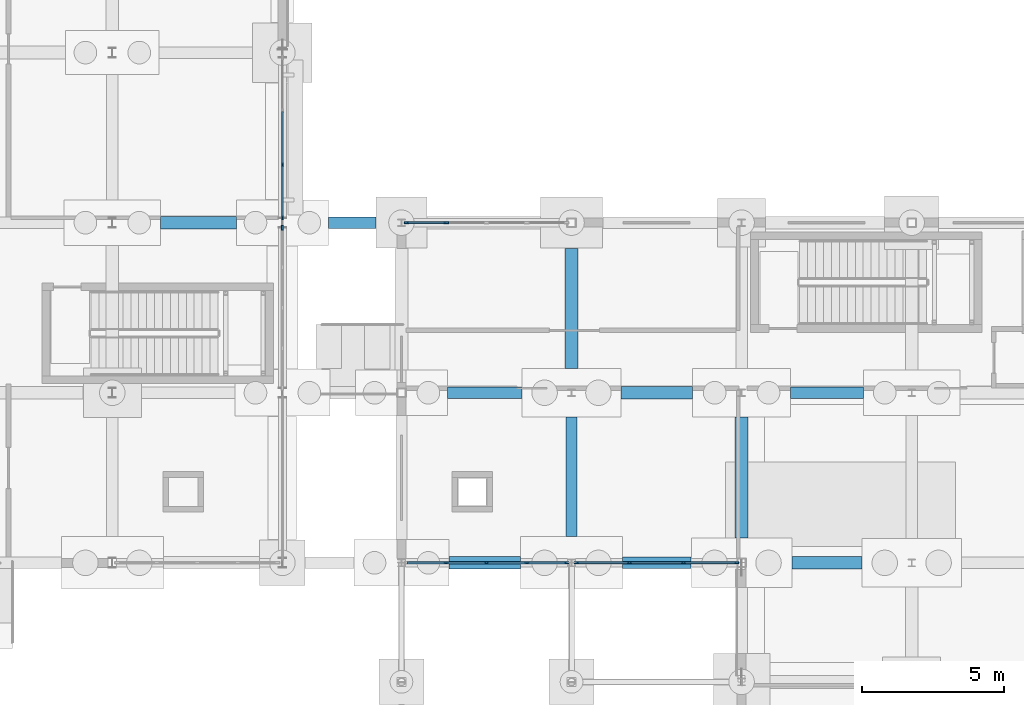
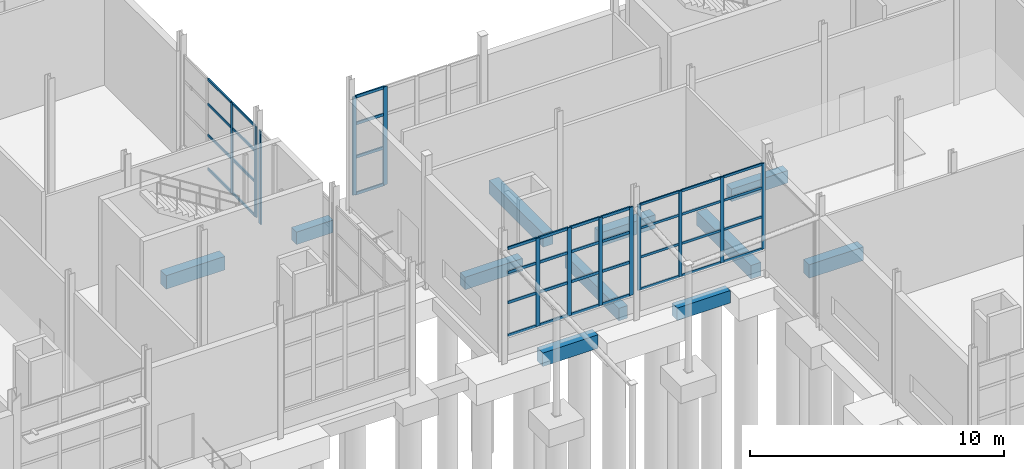
# One storey, part 44 of 120: 53 members, 11 beams, 5 elements without a shape of their own.
"""IFC4 building model written with IfcOpenShell, lengths in metres."""

import ifcopenshell
import ifcopenshell.guid

model = None  # the IFC model being written
_history = None  # IfcOwnerHistory: only IFC2X3 demands one
_inside = {}  # id of a spatial element -> (the spatial element, [elements in it])
_under = {}  # id of a project, library or spatial element -> (it, [spatial elements below it])
_declared = {}  # id of a project -> (the project, [libraries it declares])
_typed = {}  # id of a type object -> (the type object, [elements of that type])
_made_of = {}  # id of a material, layer set ... -> (it, [elements and type objects made of it])


def new_model(schema):
    """Start an empty IFC model of exactly this schema.

    Asked for "IFC4X3", IfcOpenShell would pick the latest addendum, in which some entities
    have other attributes; the version numbers below select the first issue.
    IFC2X3 requires an IfcOwnerHistory on every rooted entity: one is made here for all.
    """
    global model, _history
    if schema == "IFC4X3":
        model = ifcopenshell.file(schema_version=(4, 3, 0, 0))
    else:
        model = ifcopenshell.file(schema=schema)
    _inside.clear()
    _under.clear()
    _declared.clear()
    _typed.clear()
    _made_of.clear()
    _history = None
    if model.schema == "IFC2X3":
        org = make("IfcOrganization", Name="unknown")
        user = make(
            "IfcPersonAndOrganization",
            ThePerson=make("IfcPerson", FamilyName="unknown"),
            TheOrganization=org,
        )
        app = make(
            "IfcApplication",
            ApplicationDeveloper=org,
            Version="unknown",
            ApplicationFullName="unknown",
            ApplicationIdentifier="unknown",
        )
        _history = make(
            "IfcOwnerHistory",
            OwningUser=user,
            OwningApplication=app,
            ChangeAction="ADDED",
            CreationDate=0,
        )
    return model


def make(cls, **values):
    """One entity of the class cls with the attributes given. An attribute that is None is left unset."""
    return model.create_entity(
        cls, **{name: value for name, value in values.items() if value is not None}
    )


def rooted(cls, **values):
    """An entity with a GlobalId (a new one), such as an element, a storey or a relation."""
    return make(cls, GlobalId=ifcopenshell.guid.new(), OwnerHistory=_history, **values)


def si_unit(unit_type, name, prefix=None):
    """IfcSIUnit, for example si_unit("LENGTHUNIT", "METRE", prefix="MILLI")."""
    return make("IfcSIUnit", UnitType=unit_type, Prefix=prefix, Name=name)


def assignment(units):
    """IfcUnitAssignment: the units of a project."""
    return None if units is None else make("IfcUnitAssignment", Units=units)


def point(xyz):
    """IfcCartesianPoint."""
    return None if xyz is None else make("IfcCartesianPoint", Coordinates=xyz)


def direction(xyz):
    """IfcDirection."""
    return None if xyz is None else make("IfcDirection", DirectionRatios=xyz)


def frame(location, z_axis=None, x_axis=None):
    """IfcAxis2Placement3D, a coordinate frame: its origin and axes. An axis left out is left unset."""
    return make(
        "IfcAxis2Placement3D",
        Location=point(location),
        Axis=direction(z_axis),
        RefDirection=direction(x_axis),
    )


def frame_2d(location, x_axis=None):
    """IfcAxis2Placement2D, a coordinate frame in the plane: its origin and x axis."""
    return make(
        "IfcAxis2Placement2D", Location=point(location), RefDirection=direction(x_axis)
    )


def origin():
    """The frame at (0, 0, 0) with its axes left unset."""
    return frame((0.0, 0.0, 0.0))


def origin_2d():
    """The frame at (0, 0) in the plane with its x axis left unset."""
    return frame_2d((0.0, 0.0))


def place(relative_to, where):
    """IfcLocalPlacement: puts the frame where relative to a parent placement (None: the world)."""
    return make(
        "IfcLocalPlacement", PlacementRelTo=relative_to, RelativePlacement=where
    )


def context(
    kind, dimensions, precision=None, world=None, true_north=None, identifier=None
):
    """IfcGeometricRepresentationContext, for example the 3D "Model" context."""
    return make(
        "IfcGeometricRepresentationContext",
        ContextIdentifier=identifier,
        ContextType=kind,
        CoordinateSpaceDimension=dimensions,
        Precision=precision,
        WorldCoordinateSystem=world,
        TrueNorth=true_north,
    )


def subcontext(parent, identifier, kind, view, scale=None):
    """IfcGeometricRepresentationSubContext, for example "Body" below "Model"."""
    return make(
        "IfcGeometricRepresentationSubContext",
        ContextIdentifier=identifier,
        ContextType=kind,
        ParentContext=parent,
        TargetScale=scale,
        TargetView=view,
    )


def project(units=None, contexts=None):
    """IfcProject with its units and contexts."""
    return rooted(
        "IfcProject",
        Name="project",
        RepresentationContexts=contexts,
        UnitsInContext=assignment(units),
    )


def spatial(cls, under=None, at=None, **own):
    """A site, building, storey or space (cls), placed at a placement, below another one or the project."""
    s = rooted(cls, ObjectPlacement=at, **own)
    if under is not None:
        _under.setdefault(under.id(), (under, []))[1].append(s)
    return s


def profile(cls, at=None, kind="AREA", **sizes):
    """A parametric profile (cls). Its sizes go by their IFC names, for example OverallWidth=200.0."""
    return make(cls, ProfileType=kind, Position=at, **sizes)


def rectangle(**sizes):
    """IfcRectangleProfileDef."""
    return profile("IfcRectangleProfileDef", **sizes)


def extrude(swept, where, along, depth):
    """IfcExtrudedAreaSolid: the profile swept, set in the frame where, extruded along a direction by depth."""
    return make(
        "IfcExtrudedAreaSolid",
        SweptArea=swept,
        Position=where,
        ExtrudedDirection=direction(along),
        Depth=depth,
    )


def shape(context_of_items, identifier, shape_type, items):
    """IfcShapeRepresentation: the items that make up one representation, for example the "Body"."""
    return make(
        "IfcShapeRepresentation",
        ContextOfItems=context_of_items,
        RepresentationIdentifier=identifier,
        RepresentationType=shape_type,
        Items=items,
    )


def material(Name=None, Category=None):
    """IfcMaterial."""
    return make("IfcMaterial", Name=Name, Category=Category)


def material_profile(
    of_material, cross_section, Name=None, Category=None, Priority=None
):
    """IfcMaterialProfile: a cross section and its material."""
    return make(
        "IfcMaterialProfile",
        Name=Name,
        Material=of_material,
        Profile=cross_section,
        Priority=Priority,
        Category=Category,
    )


def profile_set(profiles, Name=None, composite=None):
    """IfcMaterialProfileSet."""
    return make(
        "IfcMaterialProfileSet",
        Name=Name,
        MaterialProfiles=profiles,
        CompositeProfile=composite,
    )


def made_of(thing, what):
    """Note that an element or type object is made of a material, layer set ...; save() writes the relation."""
    if what is not None:
        _made_of.setdefault(what.id(), (what, []))[1].append(thing)
    return thing


def type_object(cls, material=None, **own):
    """A type object (cls), such as IfcWallType, which elements share."""
    return made_of(rooted(cls, **own), material)


def element(
    cls,
    number,
    at=None,
    inside=None,
    cuts=None,
    type_object=None,
    material=None,
    context=None,
    identifier="Body",
    shape_type=None,
    held_by="IfcProductDefinitionShape",
    body=None,
    shapes=None,
    **own,
):
    """One element of the class cls, such as IfcWall. Its Tag is "e" and its number.

    at: its placement. inside: the storey or other place that contains it. cuts: it is an
    opening in that element (IfcRelVoidsElement). A single representation is given by context,
    identifier, shape_type and body (its items); several are given by shapes. held_by: the class
    of the entity that holds the representations. save() writes the other relations.
    """
    e = rooted(cls, Tag="e%d" % number, ObjectPlacement=at, **own)
    if body is not None:
        shapes = [shape(context, identifier, shape_type, body)]
    if shapes is not None:
        e.Representation = make(held_by, Representations=shapes)
    if inside is not None:
        _inside.setdefault(inside.id(), (inside, []))[1].append(e)
    if cuts is not None:
        rooted(
            "IfcRelVoidsElement", RelatingBuildingElement=cuts, RelatedOpeningElement=e
        )
    if type_object is not None:
        _typed.setdefault(type_object.id(), (type_object, []))[1].append(e)
    return made_of(e, material)


def aggregate(whole, parts):
    """IfcRelAggregates: a whole, such as a stair, and the parts it consists of."""
    return rooted("IfcRelAggregates", RelatingObject=whole, RelatedObjects=parts)


def save(model, path):
    """Write the relations noted so far, then the file.

    IfcRelAggregates (storeys below a building ...), IfcRelContainedInSpatialStructure (elements
    in a storey), IfcRelDefinesByType, IfcRelAssociatesMaterial and IfcRelDeclares: one each for
    every whole, place, type object, material and project.
    """
    for whole, parts in _under.values():
        aggregate(whole, parts)
    for where, things in _inside.values():
        rooted(
            "IfcRelContainedInSpatialStructure",
            RelatedElements=things,
            RelatingStructure=where,
        )
    for kind, things in _typed.values():
        rooted("IfcRelDefinesByType", RelatedObjects=things, RelatingType=kind)
    for what, things in _made_of.values():
        rooted("IfcRelAssociatesMaterial", RelatedObjects=things, RelatingMaterial=what)
    for by, libraries in _declared.values():
        rooted("IfcRelDeclares", RelatingContext=by, RelatedDefinitions=libraries)
    model.write(path)


model = new_model("IFC4")

# Units and contexts
model_context = context("Model", 3, precision=1e-05, world=origin(), true_north=direction((0.0, 1.0)))
body_context = subcontext(model_context, "Body", "Model", "MODEL_VIEW")
ifc_project = project(units=[si_unit("LENGTHUNIT", "METRE"), si_unit("AREAUNIT", "SQUARE_METRE"), si_unit("VOLUMEUNIT", "CUBIC_METRE"), si_unit("PLANEANGLEUNIT", "RADIAN"), si_unit("MASSUNIT", "GRAM", prefix="KILO")], contexts=[model_context])

# Site, building, storey
site_placement = place(None, origin())
site = spatial("IfcSite", under=ifc_project, at=site_placement, CompositionType="ELEMENT")
building_placement = place(site_placement, origin())
building = spatial("IfcBuilding", under=site, at=building_placement, Name="Siltcreek Boulevard Central Fire Station", CompositionType="ELEMENT")
storey_placement = place(building_placement, origin())
storey = spatial("IfcBuildingStorey", under=building, at=storey_placement, Name="L01", CompositionType="ELEMENT", Elevation=0.0)

# Curtain wall, members
ifc_material_1 = material(Name="Anodized aluminum and low-E insulated glazing", Category="aluminium")
curtain_wall_type_1 = type_object("IfcCurtainWallType", Name="CW_SYS_22", PredefinedType="USERDEFINED", material=ifc_material_1)
curtain_wall_1_placement = place(storey_placement, origin())
curtain_wall_1 = element("IfcCurtainWall", 1, at=curtain_wall_1_placement, inside=storey, type_object=curtain_wall_type_1, Name="L01 V2 unitised curtain wall CW-021", ObjectType="CURTAIN WALL", PredefinedType="USERDEFINED")
ifc_material_2 = material(Name="Anodized 6063-T6 aluminum framing", Category="aluminium")
ifc_material_profile_1 = material_profile(ifc_material_2, rectangle(XDim=0.06005859375, YDim=0.14990234375, at=origin_2d()), Name="MULL60X150")
ifc_profile_set_1 = profile_set([ifc_material_profile_1], Name="Anodized 6063-T6 aluminum framing")
member_type_1 = type_object("IfcMemberType", Name="CWM_60X150", PredefinedType="MULLION", material=ifc_profile_set_1)
member_1_placement = place(storey_placement, frame((108.0, 30.175048828125, 0.679931640625), z_axis=(0.0, 0.0, 1.0), x_axis=(-1.0, 0.0, 0.0)))
member_1 = element("IfcMember", 2, at=member_1_placement, type_object=member_type_1, Name="CW-021 mullion 1", PredefinedType="MULLION", context=body_context, shape_type="SweptSolid", body=[
    extrude(rectangle(XDim=0.06005859375, YDim=0.14990234375, at=origin_2d()), origin(), (0.0, 0.0, 1.0), 4.364013671875),
])
member_2_placement = place(storey_placement, frame((108.0, 32.04833984375, 0.679931640625), z_axis=(0.0, 0.0, 1.0), x_axis=(-1.0, 0.0, 0.0)))
member_2 = element("IfcMember", 3, at=member_2_placement, type_object=member_type_1, Name="CW-021 mullion 2", PredefinedType="MULLION", context=body_context, shape_type="SweptSolid", body=[
    extrude(rectangle(XDim=0.06005859375, YDim=0.14990234375, at=origin_2d()), origin(), (0.0, 0.0, 1.0), 4.364013671875),
])

curtain_wall_type_2 = type_object("IfcCurtainWallType", Name="CW_SYS_12", PredefinedType="USERDEFINED", material=ifc_material_1)
curtain_wall_2_placement = place(storey_placement, origin())
curtain_wall_2 = element("IfcCurtainWall", 4, at=curtain_wall_2_placement, inside=storey, type_object=curtain_wall_type_2, Name="L01 V6 unitised curtain wall CW-191", ObjectType="CURTAIN WALL", PredefinedType="USERDEFINED")
member_3_placement = place(storey_placement, frame((118.375, 18.0, 0.919921875), z_axis=(0.0, 0.0, 1.0), x_axis=(0.0, 1.0, 0.0)))
member_3 = element("IfcMember", 5, at=member_3_placement, type_object=member_type_1, Name="CW-191 mullion 1", PredefinedType="MULLION", context=body_context, shape_type="SweptSolid", body=[
    extrude(rectangle(XDim=0.06005859375, YDim=0.14990234375, at=origin_2d()), origin(), (0.0, 0.0, 1.0), 4.114990234375),
])
member_4_placement = place(storey_placement, frame((120.248291015625, 18.0, 0.919921875), z_axis=(0.0, 0.0, 1.0), x_axis=(0.0, 1.0, 0.0)))
member_4 = element("IfcMember", 6, at=member_4_placement, type_object=member_type_1, Name="CW-191 mullion 2", PredefinedType="MULLION", context=body_context, shape_type="SweptSolid", body=[
    extrude(rectangle(XDim=0.06005859375, YDim=0.14990234375, at=origin_2d()), origin(), (0.0, 0.0, 1.0), 4.114990234375),
])
member_5_placement = place(storey_placement, frame((122.151611328125, 18.0, 0.919921875), z_axis=(0.0, 0.0, 1.0), x_axis=(0.0, 1.0, 0.0)))
member_5 = element("IfcMember", 7, at=member_5_placement, type_object=member_type_1, Name="CW-191 mullion 3", PredefinedType="MULLION", context=body_context, shape_type="SweptSolid", body=[
    extrude(rectangle(XDim=0.06005859375, YDim=0.14990234375, at=origin_2d()), origin(), (0.0, 0.0, 1.0), 4.114990234375),
])
member_6_placement = place(storey_placement, frame((124.02490234375, 18.0, 0.919921875), z_axis=(0.0, 0.0, 1.0), x_axis=(0.0, 1.0, 0.0)))
member_6 = element("IfcMember", 8, at=member_6_placement, type_object=member_type_1, Name="CW-191 mullion 4", PredefinedType="MULLION", context=body_context, shape_type="SweptSolid", body=[
    extrude(rectangle(XDim=0.06005859375, YDim=0.14990234375, at=origin_2d()), origin(), (0.0, 0.0, 1.0), 4.114990234375),
])

# Curtain wall, member
curtain_wall_type_3 = type_object("IfcCurtainWallType", Name="CW_SYS_21", PredefinedType="USERDEFINED", material=ifc_material_1)
curtain_wall_3_placement = place(storey_placement, origin())
curtain_wall_3 = element("IfcCurtainWall", 9, at=curtain_wall_3_placement, inside=storey, type_object=curtain_wall_type_3, Name="L01 V2 unitised curtain wall CW-020", ObjectType="CURTAIN WALL", PredefinedType="USERDEFINED")
ifc_material_profile_2 = material_profile(ifc_material_2, rectangle(XDim=0.06494140625, YDim=0.175048828125, at=origin_2d()), Name="MULL65X175")
ifc_profile_set_2 = profile_set([ifc_material_profile_2], Name="Anodized 6063-T6 aluminum framing")
member_type_2 = type_object("IfcMemberType", Name="CWM_65X175", PredefinedType="MULLION", material=ifc_profile_set_2)
member_7_placement = place(storey_placement, frame((108.0, 29.822509765625, 0.56005859375), z_axis=(0.0, 0.0, 1.0), x_axis=(-1.0, 0.0, 0.0)))
member_7 = element("IfcMember", 10, at=member_7_placement, type_object=member_type_2, Name="CW-020 mullion 5", PredefinedType="MULLION", context=body_context, shape_type="SweptSolid", body=[
    extrude(rectangle(XDim=0.06494140625, YDim=0.175048828125, at=origin_2d()), origin(), (0.0, 0.0, 1.0), 4.48388671875),
])
aggregate(curtain_wall_3, [member_7])

# Curtain wall, members
curtain_wall_type_4 = type_object("IfcCurtainWallType", Name="CW_SYS_11", PredefinedType="USERDEFINED", material=ifc_material_1)
curtain_wall_4_placement = place(storey_placement, origin())
curtain_wall_4 = element("IfcCurtainWall", 11, at=curtain_wall_4_placement, inside=storey, type_object=curtain_wall_type_4, Name="L01 V6 unitised curtain wall CW-190", ObjectType="CURTAIN WALL", PredefinedType="USERDEFINED")
member_8_placement = place(storey_placement, frame((113.7724609375, 18.0, 0.800048828125), z_axis=(0.0, 0.0, 1.0), x_axis=(0.0, 1.0, 0.0)))
member_8 = element("IfcMember", 12, at=member_8_placement, type_object=member_type_2, Name="CW-190 mullion 2", PredefinedType="MULLION", context=body_context, shape_type="SweptSolid", body=[
    extrude(rectangle(XDim=0.06494140625, YDim=0.175048828125, at=origin_2d()), origin(), (0.0, 0.0, 1.0), 4.23486328125),
])
member_9_placement = place(storey_placement, frame((115.199951171875, 18.0, 0.800048828125), z_axis=(0.0, 0.0, 1.0), x_axis=(0.0, 1.0, 0.0)))
member_9 = element("IfcMember", 13, at=member_9_placement, type_object=member_type_2, Name="CW-190 mullion 3", PredefinedType="MULLION", context=body_context, shape_type="SweptSolid", body=[
    extrude(rectangle(XDim=0.06494140625, YDim=0.175048828125, at=origin_2d()), origin(), (0.0, 0.0, 1.0), 4.23486328125),
])
member_10_placement = place(storey_placement, frame((116.62744140625, 18.0, 0.800048828125), z_axis=(0.0, 0.0, 1.0), x_axis=(0.0, 1.0, 0.0)))
member_10 = element("IfcMember", 14, at=member_10_placement, type_object=member_type_2, Name="CW-190 mullion 4", PredefinedType="MULLION", context=body_context, shape_type="SweptSolid", body=[
    extrude(rectangle(XDim=0.06494140625, YDim=0.175048828125, at=origin_2d()), origin(), (0.0, 0.0, 1.0), 4.23486328125),
])
member_11_placement = place(storey_placement, frame((118.0224609375, 18.0, 0.800048828125), z_axis=(0.0, 0.0, 1.0), x_axis=(0.0, 1.0, 0.0)))
member_11 = element("IfcMember", 15, at=member_11_placement, type_object=member_type_2, Name="CW-190 mullion 5", PredefinedType="MULLION", context=body_context, shape_type="SweptSolid", body=[
    extrude(rectangle(XDim=0.06494140625, YDim=0.175048828125, at=origin_2d()), origin(), (0.0, 0.0, 1.0), 4.23486328125),
])

curtain_wall_type_5 = type_object("IfcCurtainWallType", Name="CW_SYS_13", PredefinedType="USERDEFINED", material=ifc_material_1)
curtain_wall_5_placement = place(storey_placement, origin())
curtain_wall_5 = element("IfcCurtainWall", 16, at=curtain_wall_5_placement, inside=storey, type_object=curtain_wall_type_5, Name="L01 V6 unitised curtain wall CW-192", ObjectType="CURTAIN WALL", PredefinedType="USERDEFINED")
member_12_placement = place(storey_placement, frame((113.7724609375, 30.0, 0.320068359375), z_axis=(0.0, 0.0, 1.0), x_axis=(0.0, -1.0, 0.0)))
member_12 = element("IfcMember", 17, at=member_12_placement, type_object=member_type_2, Name="CW-192 mullion 4", PredefinedType="MULLION", context=body_context, shape_type="SweptSolid", body=[
    extrude(rectangle(XDim=0.06494140625, YDim=0.175048828125, at=origin_2d()), origin(), (0.0, 0.0, 1.0), 4.71484375),
])
member_13_placement = place(storey_placement, frame((112.37744140625, 30.0, 0.320068359375), z_axis=(0.0, 0.0, 1.0), x_axis=(0.0, -1.0, 0.0)))
member_13 = element("IfcMember", 18, at=member_13_placement, type_object=member_type_2, Name="CW-192 mullion 5", PredefinedType="MULLION", context=body_context, shape_type="SweptSolid", body=[
    extrude(rectangle(XDim=0.06494140625, YDim=0.175048828125, at=origin_2d()), origin(), (0.0, 0.0, 1.0), 4.71484375),
])

# Member
ifc_material_profile_3 = material_profile(ifc_material_2, rectangle(XDim=0.06005859375, YDim=0.114990234375, at=origin_2d()), Name="TRAN60X115")
ifc_profile_set_3 = profile_set([ifc_material_profile_3], Name="Anodized 6063-T6 aluminum framing")
member_type_3 = type_object("IfcMemberType", Name="CWT_60X115", PredefinedType="USERDEFINED", material=ifc_profile_set_3)
member_14_placement = place(storey_placement, frame((108.0, 30.205078125, 0.7099609375), z_axis=(0.0, 1.0, 0.0), x_axis=(-1.0, 0.0, 0.0)))
member_14 = element("IfcMember", 19, at=member_14_placement, type_object=member_type_3, Name="CW-021 transom 1.1", ObjectType="TRANSOM", PredefinedType="USERDEFINED", context=body_context, shape_type="SweptSolid", body=[
    extrude(rectangle(XDim=0.06005859375, YDim=0.114990234375, at=origin_2d()), origin(), (0.0, 0.0, 1.0), 1.813232421875),
])

member_15_placement = place(storey_placement, frame((108.0, 30.205078125, 2.33837890625), z_axis=(0.0, 1.0, 0.0), x_axis=(-1.0, 0.0, 0.0)))
member_15 = element("IfcMember", 20, at=member_15_placement, type_object=member_type_3, Name="CW-021 transom 1.2", ObjectType="TRANSOM", PredefinedType="USERDEFINED", context=body_context, shape_type="SweptSolid", body=[
    extrude(rectangle(XDim=0.06005859375, YDim=0.114990234375, at=origin_2d()), origin(), (0.0, 0.0, 1.0), 1.813232421875),
])

member_16_placement = place(storey_placement, frame((108.0, 30.205078125, 3.822021484375), z_axis=(0.0, 1.0, 0.0), x_axis=(-1.0, 0.0, 0.0)))
member_16 = element("IfcMember", 21, at=member_16_placement, type_object=member_type_3, Name="CW-021 transom 1.3", ObjectType="TRANSOM", PredefinedType="USERDEFINED", context=body_context, shape_type="SweptSolid", body=[
    extrude(rectangle(XDim=0.06005859375, YDim=0.114990234375, at=origin_2d()), origin(), (0.0, 0.0, 1.0), 1.813232421875),
])

member_17_placement = place(storey_placement, frame((108.0, 30.205078125, 5.013916015625), z_axis=(0.0, 1.0, 0.0), x_axis=(-1.0, 0.0, 0.0)))
member_17 = element("IfcMember", 22, at=member_17_placement, type_object=member_type_3, Name="CW-021 transom 1.4", ObjectType="TRANSOM", PredefinedType="USERDEFINED", context=body_context, shape_type="SweptSolid", body=[
    extrude(rectangle(XDim=0.06005859375, YDim=0.114990234375, at=origin_2d()), origin(), (0.0, 0.0, 1.0), 1.813232421875),
])

member_18_placement = place(storey_placement, frame((108.0, 32.078369140625, 0.7099609375), z_axis=(0.0, 1.0, 0.0), x_axis=(-1.0, 0.0, 0.0)))
member_18 = element("IfcMember", 23, at=member_18_placement, type_object=member_type_3, Name="CW-021 transom 2.1", ObjectType="TRANSOM", PredefinedType="USERDEFINED", context=body_context, shape_type="SweptSolid", body=[
    extrude(rectangle(XDim=0.06005859375, YDim=0.114990234375, at=origin_2d()), origin(), (0.0, 0.0, 1.0), 1.84326171875),
])

member_19_placement = place(storey_placement, frame((108.0, 32.078369140625, 2.33837890625), z_axis=(0.0, 1.0, 0.0), x_axis=(-1.0, 0.0, 0.0)))
member_19 = element("IfcMember", 24, at=member_19_placement, type_object=member_type_3, Name="CW-021 transom 2.2", ObjectType="TRANSOM", PredefinedType="USERDEFINED", context=body_context, shape_type="SweptSolid", body=[
    extrude(rectangle(XDim=0.06005859375, YDim=0.114990234375, at=origin_2d()), origin(), (0.0, 0.0, 1.0), 1.84326171875),
])

member_20_placement = place(storey_placement, frame((108.0, 32.078369140625, 3.822021484375), z_axis=(0.0, 1.0, 0.0), x_axis=(-1.0, 0.0, 0.0)))
member_20 = element("IfcMember", 25, at=member_20_placement, type_object=member_type_3, Name="CW-021 transom 2.3", ObjectType="TRANSOM", PredefinedType="USERDEFINED", context=body_context, shape_type="SweptSolid", body=[
    extrude(rectangle(XDim=0.06005859375, YDim=0.114990234375, at=origin_2d()), origin(), (0.0, 0.0, 1.0), 1.84326171875),
])

member_21_placement = place(storey_placement, frame((108.0, 32.078369140625, 5.013916015625), z_axis=(0.0, 1.0, 0.0), x_axis=(-1.0, 0.0, 0.0)))
member_21 = element("IfcMember", 26, at=member_21_placement, type_object=member_type_3, Name="CW-021 transom 2.4", ObjectType="TRANSOM", PredefinedType="USERDEFINED", context=body_context, shape_type="SweptSolid", body=[
    extrude(rectangle(XDim=0.06005859375, YDim=0.114990234375, at=origin_2d()), origin(), (0.0, 0.0, 1.0), 1.84326171875),
])

aggregate(curtain_wall_1, [member_1, member_2, member_14, member_15, member_16, member_17, member_18, member_19, member_20, member_21])

member_22_placement = place(storey_placement, frame((118.405029296875, 18.0, 0.949951171875), z_axis=(1.0, 0.0, 0.0), x_axis=(0.0, 1.0, 0.0)))
member_22 = element("IfcMember", 27, at=member_22_placement, type_object=member_type_3, Name="CW-191 transom 1.1", ObjectType="TRANSOM", PredefinedType="USERDEFINED", context=body_context, shape_type="SweptSolid", body=[
    extrude(rectangle(XDim=0.06005859375, YDim=0.114990234375, at=origin_2d()), origin(), (0.0, 0.0, 1.0), 1.813232421875),
])

member_23_placement = place(storey_placement, frame((118.405029296875, 18.0, 2.483642578125), z_axis=(1.0, 0.0, 0.0), x_axis=(0.0, 1.0, 0.0)))
member_23 = element("IfcMember", 28, at=member_23_placement, type_object=member_type_3, Name="CW-191 transom 1.2", ObjectType="TRANSOM", PredefinedType="USERDEFINED", context=body_context, shape_type="SweptSolid", body=[
    extrude(rectangle(XDim=0.06005859375, YDim=0.114990234375, at=origin_2d()), origin(), (0.0, 0.0, 1.0), 1.813232421875),
])

member_24_placement = place(storey_placement, frame((118.405029296875, 18.0, 3.8828125), z_axis=(1.0, 0.0, 0.0), x_axis=(0.0, 1.0, 0.0)))
member_24 = element("IfcMember", 29, at=member_24_placement, type_object=member_type_3, Name="CW-191 transom 1.3", ObjectType="TRANSOM", PredefinedType="USERDEFINED", context=body_context, shape_type="SweptSolid", body=[
    extrude(rectangle(XDim=0.06005859375, YDim=0.114990234375, at=origin_2d()), origin(), (0.0, 0.0, 1.0), 1.813232421875),
])

member_25_placement = place(storey_placement, frame((118.405029296875, 18.0, 5.0048828125), z_axis=(1.0, 0.0, 0.0), x_axis=(0.0, 1.0, 0.0)))
member_25 = element("IfcMember", 30, at=member_25_placement, type_object=member_type_3, Name="CW-191 transom 1.4", ObjectType="TRANSOM", PredefinedType="USERDEFINED", context=body_context, shape_type="SweptSolid", body=[
    extrude(rectangle(XDim=0.06005859375, YDim=0.114990234375, at=origin_2d()), origin(), (0.0, 0.0, 1.0), 1.813232421875),
])

member_26_placement = place(storey_placement, frame((120.2783203125, 18.0, 0.949951171875), z_axis=(1.0, 0.0, 0.0), x_axis=(0.0, 1.0, 0.0)))
member_26 = element("IfcMember", 31, at=member_26_placement, type_object=member_type_3, Name="CW-191 transom 2.1", ObjectType="TRANSOM", PredefinedType="USERDEFINED", context=body_context, shape_type="SweptSolid", body=[
    extrude(rectangle(XDim=0.06005859375, YDim=0.114990234375, at=origin_2d()), origin(), (0.0, 0.0, 1.0), 1.84326171875),
])

member_27_placement = place(storey_placement, frame((120.2783203125, 18.0, 2.483642578125), z_axis=(1.0, 0.0, 0.0), x_axis=(0.0, 1.0, 0.0)))
member_27 = element("IfcMember", 32, at=member_27_placement, type_object=member_type_3, Name="CW-191 transom 2.2", ObjectType="TRANSOM", PredefinedType="USERDEFINED", context=body_context, shape_type="SweptSolid", body=[
    extrude(rectangle(XDim=0.06005859375, YDim=0.114990234375, at=origin_2d()), origin(), (0.0, 0.0, 1.0), 1.84326171875),
])

member_28_placement = place(storey_placement, frame((120.2783203125, 18.0, 3.8828125), z_axis=(1.0, 0.0, 0.0), x_axis=(0.0, 1.0, 0.0)))
member_28 = element("IfcMember", 33, at=member_28_placement, type_object=member_type_3, Name="CW-191 transom 2.3", ObjectType="TRANSOM", PredefinedType="USERDEFINED", context=body_context, shape_type="SweptSolid", body=[
    extrude(rectangle(XDim=0.06005859375, YDim=0.114990234375, at=origin_2d()), origin(), (0.0, 0.0, 1.0), 1.84326171875),
])

member_29_placement = place(storey_placement, frame((120.2783203125, 18.0, 5.0048828125), z_axis=(1.0, 0.0, 0.0), x_axis=(0.0, 1.0, 0.0)))
member_29 = element("IfcMember", 34, at=member_29_placement, type_object=member_type_3, Name="CW-191 transom 2.4", ObjectType="TRANSOM", PredefinedType="USERDEFINED", context=body_context, shape_type="SweptSolid", body=[
    extrude(rectangle(XDim=0.06005859375, YDim=0.114990234375, at=origin_2d()), origin(), (0.0, 0.0, 1.0), 1.84326171875),
])

member_30_placement = place(storey_placement, frame((122.181640625, 18.0, 0.949951171875), z_axis=(1.0, 0.0, 0.0), x_axis=(0.0, 1.0, 0.0)))
member_30 = element("IfcMember", 35, at=member_30_placement, type_object=member_type_3, Name="CW-191 transom 3.1", ObjectType="TRANSOM", PredefinedType="USERDEFINED", context=body_context, shape_type="SweptSolid", body=[
    extrude(rectangle(XDim=0.06005859375, YDim=0.114990234375, at=origin_2d()), origin(), (0.0, 0.0, 1.0), 1.8134765625),
])

member_31_placement = place(storey_placement, frame((122.181640625, 18.0, 2.483642578125), z_axis=(1.0, 0.0, 0.0), x_axis=(0.0, 1.0, 0.0)))
member_31 = element("IfcMember", 36, at=member_31_placement, type_object=member_type_3, Name="CW-191 transom 3.2", ObjectType="TRANSOM", PredefinedType="USERDEFINED", context=body_context, shape_type="SweptSolid", body=[
    extrude(rectangle(XDim=0.06005859375, YDim=0.114990234375, at=origin_2d()), origin(), (0.0, 0.0, 1.0), 1.8134765625),
])

member_32_placement = place(storey_placement, frame((122.181640625, 18.0, 3.8828125), z_axis=(1.0, 0.0, 0.0), x_axis=(0.0, 1.0, 0.0)))
member_32 = element("IfcMember", 37, at=member_32_placement, type_object=member_type_3, Name="CW-191 transom 3.3", ObjectType="TRANSOM", PredefinedType="USERDEFINED", context=body_context, shape_type="SweptSolid", body=[
    extrude(rectangle(XDim=0.06005859375, YDim=0.114990234375, at=origin_2d()), origin(), (0.0, 0.0, 1.0), 1.8134765625),
])

member_33_placement = place(storey_placement, frame((122.181640625, 18.0, 5.0048828125), z_axis=(1.0, 0.0, 0.0), x_axis=(0.0, 1.0, 0.0)))
member_33 = element("IfcMember", 38, at=member_33_placement, type_object=member_type_3, Name="CW-191 transom 3.4", ObjectType="TRANSOM", PredefinedType="USERDEFINED", context=body_context, shape_type="SweptSolid", body=[
    extrude(rectangle(XDim=0.06005859375, YDim=0.114990234375, at=origin_2d()), origin(), (0.0, 0.0, 1.0), 1.8134765625),
])

aggregate(curtain_wall_2, [member_3, member_4, member_5, member_6, member_22, member_23, member_24, member_25, member_26, member_27, member_28, member_29, member_30, member_31, member_32, member_33])

ifc_material_profile_4 = material_profile(ifc_material_2, rectangle(XDim=0.06494140625, YDim=0.135009765625, at=origin_2d()), Name="TRAN65X135")
ifc_profile_set_4 = profile_set([ifc_material_profile_4], Name="Anodized 6063-T6 aluminum framing")
member_type_4 = type_object("IfcMemberType", Name="CWT_65X135", PredefinedType="USERDEFINED", material=ifc_profile_set_4)
member_34_placement = place(storey_placement, frame((112.409912109375, 18.0, 0.83251953125), z_axis=(1.0, 0.0, 0.0), x_axis=(0.0, 1.0, 0.0)))
member_34 = element("IfcMember", 39, at=member_34_placement, type_object=member_type_4, Name="CW-190 transom 1.1", ObjectType="TRANSOM", PredefinedType="USERDEFINED", context=body_context, shape_type="SweptSolid", body=[
    extrude(rectangle(XDim=0.06494140625, YDim=0.135009765625, at=origin_2d()), origin(), (0.0, 0.0, 1.0), 1.330078125),
])

member_35_placement = place(storey_placement, frame((112.409912109375, 18.0, 2.4091796875), z_axis=(1.0, 0.0, 0.0), x_axis=(0.0, 1.0, 0.0)))
member_35 = element("IfcMember", 40, at=member_35_placement, type_object=member_type_4, Name="CW-190 transom 1.2", ObjectType="TRANSOM", PredefinedType="USERDEFINED", context=body_context, shape_type="SweptSolid", body=[
    extrude(rectangle(XDim=0.06494140625, YDim=0.135009765625, at=origin_2d()), origin(), (0.0, 0.0, 1.0), 1.330078125),
])

member_36_placement = place(storey_placement, frame((112.409912109375, 18.0, 3.84912109375), z_axis=(1.0, 0.0, 0.0), x_axis=(0.0, 1.0, 0.0)))
member_36 = element("IfcMember", 41, at=member_36_placement, type_object=member_type_4, Name="CW-190 transom 1.3", ObjectType="TRANSOM", PredefinedType="USERDEFINED", context=body_context, shape_type="SweptSolid", body=[
    extrude(rectangle(XDim=0.06494140625, YDim=0.135009765625, at=origin_2d()), origin(), (0.0, 0.0, 1.0), 1.330078125),
])

member_37_placement = place(storey_placement, frame((112.409912109375, 18.0, 5.00244140625), z_axis=(1.0, 0.0, 0.0), x_axis=(0.0, 1.0, 0.0)))
member_37 = element("IfcMember", 42, at=member_37_placement, type_object=member_type_4, Name="CW-190 transom 1.4", ObjectType="TRANSOM", PredefinedType="USERDEFINED", context=body_context, shape_type="SweptSolid", body=[
    extrude(rectangle(XDim=0.06494140625, YDim=0.135009765625, at=origin_2d()), origin(), (0.0, 0.0, 1.0), 1.330078125),
])

member_38_placement = place(storey_placement, frame((113.804931640625, 18.0, 0.83251953125), z_axis=(1.0, 0.0, 0.0), x_axis=(0.0, 1.0, 0.0)))
member_38 = element("IfcMember", 43, at=member_38_placement, type_object=member_type_4, Name="CW-190 transom 2.1", ObjectType="TRANSOM", PredefinedType="USERDEFINED", context=body_context, shape_type="SweptSolid", body=[
    extrude(rectangle(XDim=0.06494140625, YDim=0.135009765625, at=origin_2d()), origin(), (0.0, 0.0, 1.0), 1.362548828125),
])

member_39_placement = place(storey_placement, frame((113.804931640625, 18.0, 2.4091796875), z_axis=(1.0, 0.0, 0.0), x_axis=(0.0, 1.0, 0.0)))
member_39 = element("IfcMember", 44, at=member_39_placement, type_object=member_type_4, Name="CW-190 transom 2.2", ObjectType="TRANSOM", PredefinedType="USERDEFINED", context=body_context, shape_type="SweptSolid", body=[
    extrude(rectangle(XDim=0.06494140625, YDim=0.135009765625, at=origin_2d()), origin(), (0.0, 0.0, 1.0), 1.362548828125),
])

member_40_placement = place(storey_placement, frame((113.804931640625, 18.0, 3.84912109375), z_axis=(1.0, 0.0, 0.0), x_axis=(0.0, 1.0, 0.0)))
member_40 = element("IfcMember", 45, at=member_40_placement, type_object=member_type_4, Name="CW-190 transom 2.3", ObjectType="TRANSOM", PredefinedType="USERDEFINED", context=body_context, shape_type="SweptSolid", body=[
    extrude(rectangle(XDim=0.06494140625, YDim=0.135009765625, at=origin_2d()), origin(), (0.0, 0.0, 1.0), 1.362548828125),
])

member_41_placement = place(storey_placement, frame((113.804931640625, 18.0, 5.00244140625), z_axis=(1.0, 0.0, 0.0), x_axis=(0.0, 1.0, 0.0)))
member_41 = element("IfcMember", 46, at=member_41_placement, type_object=member_type_4, Name="CW-190 transom 2.4", ObjectType="TRANSOM", PredefinedType="USERDEFINED", context=body_context, shape_type="SweptSolid", body=[
    extrude(rectangle(XDim=0.06494140625, YDim=0.135009765625, at=origin_2d()), origin(), (0.0, 0.0, 1.0), 1.362548828125),
])

member_42_placement = place(storey_placement, frame((115.232421875, 18.0, 0.83251953125), z_axis=(1.0, 0.0, 0.0), x_axis=(0.0, 1.0, 0.0)))
member_42 = element("IfcMember", 47, at=member_42_placement, type_object=member_type_4, Name="CW-190 transom 3.1", ObjectType="TRANSOM", PredefinedType="USERDEFINED", context=body_context, shape_type="SweptSolid", body=[
    extrude(rectangle(XDim=0.06494140625, YDim=0.135009765625, at=origin_2d()), origin(), (0.0, 0.0, 1.0), 1.362548828125),
])

member_43_placement = place(storey_placement, frame((115.232421875, 18.0, 2.4091796875), z_axis=(1.0, 0.0, 0.0), x_axis=(0.0, 1.0, 0.0)))
member_43 = element("IfcMember", 48, at=member_43_placement, type_object=member_type_4, Name="CW-190 transom 3.2", ObjectType="TRANSOM", PredefinedType="USERDEFINED", context=body_context, shape_type="SweptSolid", body=[
    extrude(rectangle(XDim=0.06494140625, YDim=0.135009765625, at=origin_2d()), origin(), (0.0, 0.0, 1.0), 1.362548828125),
])

member_44_placement = place(storey_placement, frame((115.232421875, 18.0, 3.84912109375), z_axis=(1.0, 0.0, 0.0), x_axis=(0.0, 1.0, 0.0)))
member_44 = element("IfcMember", 49, at=member_44_placement, type_object=member_type_4, Name="CW-190 transom 3.3", ObjectType="TRANSOM", PredefinedType="USERDEFINED", context=body_context, shape_type="SweptSolid", body=[
    extrude(rectangle(XDim=0.06494140625, YDim=0.135009765625, at=origin_2d()), origin(), (0.0, 0.0, 1.0), 1.362548828125),
])

member_45_placement = place(storey_placement, frame((115.232421875, 18.0, 5.00244140625), z_axis=(1.0, 0.0, 0.0), x_axis=(0.0, 1.0, 0.0)))
member_45 = element("IfcMember", 50, at=member_45_placement, type_object=member_type_4, Name="CW-190 transom 3.4", ObjectType="TRANSOM", PredefinedType="USERDEFINED", context=body_context, shape_type="SweptSolid", body=[
    extrude(rectangle(XDim=0.06494140625, YDim=0.135009765625, at=origin_2d()), origin(), (0.0, 0.0, 1.0), 1.362548828125),
])

member_46_placement = place(storey_placement, frame((116.659912109375, 18.0, 0.83251953125), z_axis=(1.0, 0.0, 0.0), x_axis=(0.0, 1.0, 0.0)))
member_46 = element("IfcMember", 51, at=member_46_placement, type_object=member_type_4, Name="CW-190 transom 4.1", ObjectType="TRANSOM", PredefinedType="USERDEFINED", context=body_context, shape_type="SweptSolid", body=[
    extrude(rectangle(XDim=0.06494140625, YDim=0.135009765625, at=origin_2d()), origin(), (0.0, 0.0, 1.0), 1.330078125),
])

member_47_placement = place(storey_placement, frame((116.659912109375, 18.0, 2.4091796875), z_axis=(1.0, 0.0, 0.0), x_axis=(0.0, 1.0, 0.0)))
member_47 = element("IfcMember", 52, at=member_47_placement, type_object=member_type_4, Name="CW-190 transom 4.2", ObjectType="TRANSOM", PredefinedType="USERDEFINED", context=body_context, shape_type="SweptSolid", body=[
    extrude(rectangle(XDim=0.06494140625, YDim=0.135009765625, at=origin_2d()), origin(), (0.0, 0.0, 1.0), 1.330078125),
])

member_48_placement = place(storey_placement, frame((116.659912109375, 18.0, 3.84912109375), z_axis=(1.0, 0.0, 0.0), x_axis=(0.0, 1.0, 0.0)))
member_48 = element("IfcMember", 53, at=member_48_placement, type_object=member_type_4, Name="CW-190 transom 4.3", ObjectType="TRANSOM", PredefinedType="USERDEFINED", context=body_context, shape_type="SweptSolid", body=[
    extrude(rectangle(XDim=0.06494140625, YDim=0.135009765625, at=origin_2d()), origin(), (0.0, 0.0, 1.0), 1.330078125),
])

member_49_placement = place(storey_placement, frame((116.659912109375, 18.0, 5.00244140625), z_axis=(1.0, 0.0, 0.0), x_axis=(0.0, 1.0, 0.0)))
member_49 = element("IfcMember", 54, at=member_49_placement, type_object=member_type_4, Name="CW-190 transom 4.4", ObjectType="TRANSOM", PredefinedType="USERDEFINED", context=body_context, shape_type="SweptSolid", body=[
    extrude(rectangle(XDim=0.06494140625, YDim=0.135009765625, at=origin_2d()), origin(), (0.0, 0.0, 1.0), 1.330078125),
])

aggregate(curtain_wall_4, [member_8, member_9, member_10, member_11, member_34, member_35, member_36, member_37, member_38, member_39, member_40, member_41, member_42, member_43, member_44, member_45, member_46, member_47, member_48, member_49])

member_50_placement = place(storey_placement, frame((113.739990234375, 30.0, 0.3525390625), z_axis=(-1.0, 0.0, 0.0), x_axis=(0.0, -1.0, 0.0)))
member_50 = element("IfcMember", 55, at=member_50_placement, type_object=member_type_4, Name="CW-192 transom 4.1", ObjectType="TRANSOM", PredefinedType="USERDEFINED", context=body_context, shape_type="SweptSolid", body=[
    extrude(rectangle(XDim=0.06494140625, YDim=0.135009765625, at=origin_2d()), origin(), (0.0, 0.0, 1.0), 1.330078125),
])

member_51_placement = place(storey_placement, frame((113.739990234375, 30.0, 2.11181640625), z_axis=(-1.0, 0.0, 0.0), x_axis=(0.0, -1.0, 0.0)))
member_51 = element("IfcMember", 56, at=member_51_placement, type_object=member_type_4, Name="CW-192 transom 4.2", ObjectType="TRANSOM", PredefinedType="USERDEFINED", context=body_context, shape_type="SweptSolid", body=[
    extrude(rectangle(XDim=0.06494140625, YDim=0.135009765625, at=origin_2d()), origin(), (0.0, 0.0, 1.0), 1.330078125),
])

member_52_placement = place(storey_placement, frame((113.739990234375, 30.0, 3.71484375), z_axis=(-1.0, 0.0, 0.0), x_axis=(0.0, -1.0, 0.0)))
member_52 = element("IfcMember", 57, at=member_52_placement, type_object=member_type_4, Name="CW-192 transom 4.3", ObjectType="TRANSOM", PredefinedType="USERDEFINED", context=body_context, shape_type="SweptSolid", body=[
    extrude(rectangle(XDim=0.06494140625, YDim=0.135009765625, at=origin_2d()), origin(), (0.0, 0.0, 1.0), 1.330078125),
])

member_53_placement = place(storey_placement, frame((113.739990234375, 30.0, 5.00244140625), z_axis=(-1.0, 0.0, 0.0), x_axis=(0.0, -1.0, 0.0)))
member_53 = element("IfcMember", 58, at=member_53_placement, type_object=member_type_4, Name="CW-192 transom 4.4", ObjectType="TRANSOM", PredefinedType="USERDEFINED", context=body_context, shape_type="SweptSolid", body=[
    extrude(rectangle(XDim=0.06494140625, YDim=0.135009765625, at=origin_2d()), origin(), (0.0, 0.0, 1.0), 1.330078125),
])

aggregate(curtain_wall_5, [member_12, member_13, member_50, member_51, member_52, member_53])

# Beams
ifc_material_3 = material(Name="Concrete C35/45", Category="concrete")
ifc_material_profile_5 = material_profile(ifc_material_3, rectangle(XDim=0.39990234375, YDim=0.60009765625, at=origin_2d()), Name="RC400X600")
ifc_profile_set_5 = profile_set([ifc_material_profile_5], Name="Concrete C35/45")
beam_type_1 = type_object("IfcBeamType", Name="GB_RC400X600", PredefinedType="USERDEFINED", material=ifc_profile_set_5)
beam_1_placement = place(storey_placement, frame((120.001953125, 18.0, -0.7099609375), z_axis=(1.0, 0.0, 0.0), x_axis=(0.0, 1.0, 0.0)))
element("IfcBeam", 59, at=beam_1_placement, inside=storey, type_object=beam_type_1, Name="Reinforced concrete tie grade beam GB-043", ObjectType="GRADE BEAM", PredefinedType="USERDEFINED", context=body_context, shape_type="SweptSolid", body=[
    extrude(rectangle(XDim=0.39990234375, YDim=0.60009765625, at=origin_2d()), origin(), (0.0, 0.0, 1.0), 2.421142578125),
])
beam_2_placement = place(storey_placement, frame((113.826904296875, 24.0, -0.7099609375), z_axis=(1.0, 0.0, 0.0), x_axis=(0.0, 1.0, 0.0)))
element("IfcBeam", 60, at=beam_2_placement, inside=storey, type_object=beam_type_1, Name="Reinforced concrete tie grade beam GB-057", ObjectType="GRADE BEAM", PredefinedType="USERDEFINED", context=body_context, shape_type="SweptSolid", body=[
    extrude(rectangle(XDim=0.39990234375, YDim=0.60009765625, at=origin_2d()), origin(), (0.0, 0.0, 1.0), 2.62109375),
])
beam_3_placement = place(storey_placement, frame((125.927001953125, 24.0, -0.7099609375), z_axis=(1.0, 0.0, 0.0), x_axis=(0.0, 1.0, 0.0)))
element("IfcBeam", 61, at=beam_3_placement, inside=storey, type_object=beam_type_1, Name="Reinforced concrete tie grade beam GB-059", ObjectType="GRADE BEAM", PredefinedType="USERDEFINED", context=body_context, shape_type="SweptSolid", body=[
    extrude(rectangle(XDim=0.39990234375, YDim=0.60009765625, at=origin_2d()), origin(), (0.0, 0.0, 1.0), 2.571044921875),
])
beam_4_placement = place(storey_placement, frame((109.626953125, 30.0, -0.7099609375), z_axis=(1.0, 0.0, 0.0), x_axis=(0.0, 1.0, 0.0)))
element("IfcBeam", 62, at=beam_4_placement, inside=storey, type_object=beam_type_1, Name="Reinforced concrete tie grade beam GB-071", ObjectType="GRADE BEAM", PredefinedType="USERDEFINED", context=body_context, shape_type="SweptSolid", body=[
    extrude(rectangle(XDim=0.39990234375, YDim=0.60009765625, at=origin_2d()), origin(), (0.0, 0.0, 1.0), 1.671142578125),
])
beam_5_placement = place(storey_placement, frame((118.199951171875, 18.927001953125, -0.7099609375), z_axis=(0.0, 1.0, 0.0), x_axis=(-1.0, 0.0, 0.0)))
element("IfcBeam", 63, at=beam_5_placement, inside=storey, type_object=beam_type_1, Name="Reinforced concrete tie grade beam GB-205", ObjectType="GRADE BEAM", PredefinedType="USERDEFINED", context=body_context, shape_type="SweptSolid", body=[
    extrude(rectangle(XDim=0.39990234375, YDim=0.60009765625, at=origin_2d()), origin(), (0.0, 0.0, 1.0), 4.220947265625),
])
ifc_material_profile_6 = material_profile(ifc_material_3, rectangle(XDim=0.449951171875, YDim=0.64990234375, at=origin_2d()), Name="RC450X650")
ifc_profile_set_6 = profile_set([ifc_material_profile_6], Name="Concrete C35/45")
beam_type_2 = type_object("IfcBeamType", Name="GB_RC450X650", PredefinedType="USERDEFINED", material=ifc_profile_set_6)
beam_6_placement = place(storey_placement, frame((113.876953125, 18.0, -0.735107421875), z_axis=(1.0, 0.0, 0.0), x_axis=(0.0, 1.0, 0.0)))
element("IfcBeam", 64, at=beam_6_placement, inside=storey, type_object=beam_type_2, Name="Reinforced concrete tie grade beam GB-042", ObjectType="GRADE BEAM", PredefinedType="USERDEFINED", context=body_context, shape_type="SweptSolid", body=[
    extrude(rectangle(XDim=0.449951171875, YDim=0.64990234375, at=origin_2d()), origin(), (0.0, 0.0, 1.0), 2.52099609375),
])
beam_7_placement = place(storey_placement, frame((125.97705078125, 18.0, -0.735107421875), z_axis=(1.0, 0.0, 0.0), x_axis=(0.0, 1.0, 0.0)))
element("IfcBeam", 65, at=beam_7_placement, inside=storey, type_object=beam_type_2, Name="Reinforced concrete tie grade beam GB-044", ObjectType="GRADE BEAM", PredefinedType="USERDEFINED", context=body_context, shape_type="SweptSolid", body=[
    extrude(rectangle(XDim=0.449951171875, YDim=0.64990234375, at=origin_2d()), origin(), (0.0, 0.0, 1.0), 2.470947265625),
])
beam_8_placement = place(storey_placement, frame((119.951904296875, 24.0, -0.735107421875), z_axis=(1.0, 0.0, 0.0), x_axis=(0.0, 1.0, 0.0)))
element("IfcBeam", 66, at=beam_8_placement, inside=storey, type_object=beam_type_2, Name="Reinforced concrete tie grade beam GB-058", ObjectType="GRADE BEAM", PredefinedType="USERDEFINED", context=body_context, shape_type="SweptSolid", body=[
    extrude(rectangle(XDim=0.449951171875, YDim=0.64990234375, at=origin_2d()), origin(), (0.0, 0.0, 1.0), 2.52099609375),
])
beam_9_placement = place(storey_placement, frame((103.701904296875, 30.0, -0.735107421875), z_axis=(1.0, 0.0, 0.0), x_axis=(0.0, 1.0, 0.0)))
element("IfcBeam", 67, at=beam_9_placement, inside=storey, type_object=beam_type_2, Name="Reinforced concrete tie grade beam GB-070", ObjectType="GRADE BEAM", PredefinedType="USERDEFINED", context=body_context, shape_type="SweptSolid", body=[
    extrude(rectangle(XDim=0.449951171875, YDim=0.64990234375, at=origin_2d()), origin(), (0.0, 0.0, 1.0), 2.671142578125),
])
beam_10_placement = place(storey_placement, frame((118.199951171875, 24.85205078125, -0.735107421875), z_axis=(0.0, 1.0, 0.0), x_axis=(-1.0, 0.0, 0.0)))
element("IfcBeam", 68, at=beam_10_placement, inside=storey, type_object=beam_type_2, Name="Reinforced concrete tie grade beam GB-206", ObjectType="GRADE BEAM", PredefinedType="USERDEFINED", context=body_context, shape_type="SweptSolid", body=[
    extrude(rectangle(XDim=0.449951171875, YDim=0.64990234375, at=origin_2d()), origin(), (0.0, 0.0, 1.0), 4.245849609375),
])
beam_11_placement = place(storey_placement, frame((124.199951171875, 18.876953125, -0.735107421875), z_axis=(0.0, 1.0, 0.0), x_axis=(-1.0, 0.0, 0.0)))
element("IfcBeam", 69, at=beam_11_placement, inside=storey, type_object=beam_type_2, Name="Reinforced concrete tie grade beam GB-208", ObjectType="GRADE BEAM", PredefinedType="USERDEFINED", context=body_context, shape_type="SweptSolid", body=[
    extrude(rectangle(XDim=0.449951171875, YDim=0.64990234375, at=origin_2d()), origin(), (0.0, 0.0, 1.0), 4.27099609375),
])

save(model, "model.ifc")
